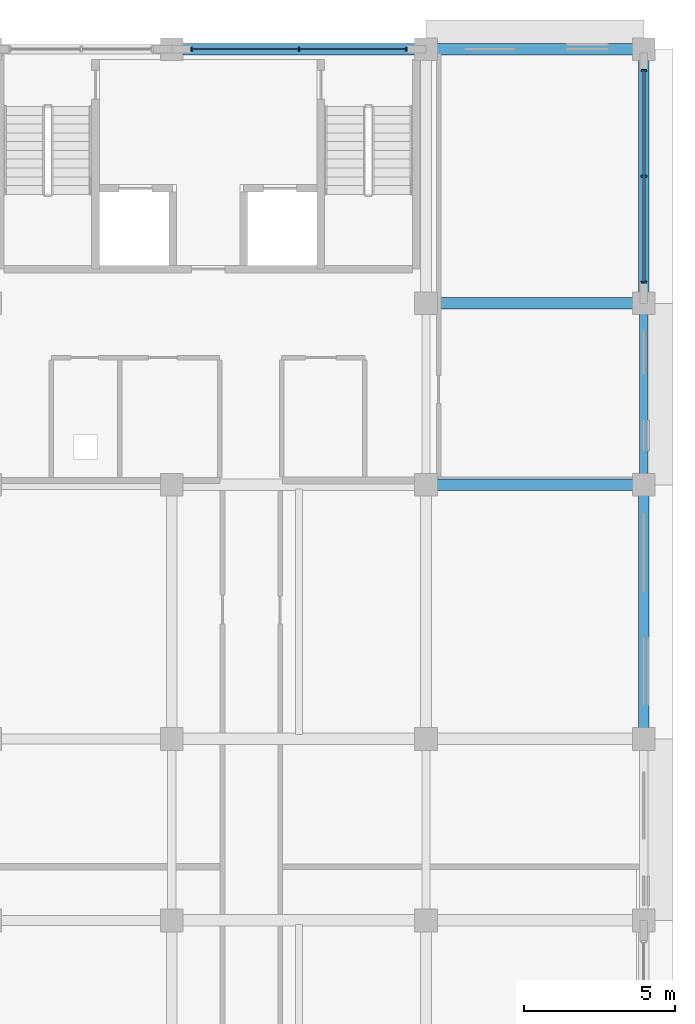
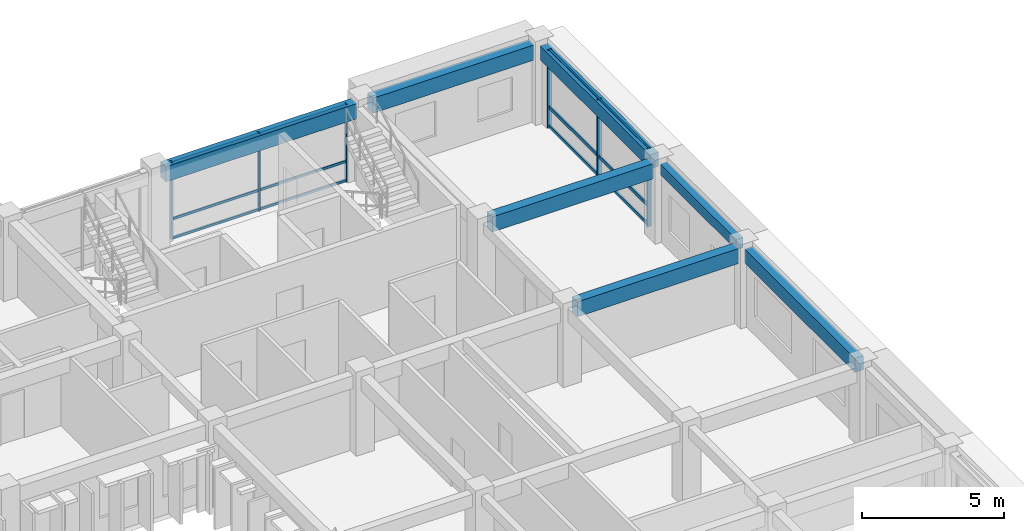
# One storey, part 41 of 88: 12 members, 7 beams, 2 elements without a shape of their own.
"""IFC4 building model written with IfcOpenShell, lengths in metres."""

from ifc_helpers import new_model, si_unit, direction, frame, origin, origin_2d, place, context, subcontext, project, spatial, rectangle, extrude, material, material_profile, profile_set, type_object, element, aggregate, save


model = new_model("IFC4")

# Units and contexts
model_context = context("Model", 3, precision=1e-05, world=origin(), true_north=direction((0.0, 1.0)))
body_context = subcontext(model_context, "Body", "Model", "MODEL_VIEW")
ifc_project = project(units=[si_unit("LENGTHUNIT", "METRE"), si_unit("AREAUNIT", "SQUARE_METRE"), si_unit("VOLUMEUNIT", "CUBIC_METRE"), si_unit("PLANEANGLEUNIT", "RADIAN"), si_unit("MASSUNIT", "GRAM", prefix="KILO"), si_unit("THERMODYNAMICTEMPERATUREUNIT", "KELVIN")], contexts=[model_context])

# Site, building, storey
site_placement = place(None, origin())
site = spatial("IfcSite", under=ifc_project, at=site_placement, CompositionType="ELEMENT")
building_placement = place(site_placement, origin())
building = spatial("IfcBuilding", under=site, at=building_placement, Name="Thalorik Housing Commons", CompositionType="ELEMENT")
storey_placement = place(building_placement, frame((0.0, 0.0, 4.5)))
storey = spatial("IfcBuildingStorey", under=building, at=storey_placement, Name="L01", CompositionType="ELEMENT", Elevation=4.5)

# Curtain wall, members
ifc_material_1 = material(Name="Anodised aluminium and solar-control low-E glass", Category="aluminium")
curtain_wall_type_1 = type_object("IfcCurtainWallType", Name="ARC-CW-CORE", PredefinedType="USERDEFINED", material=ifc_material_1)
curtain_wall_1_placement = place(storey_placement, origin())
curtain_wall_1 = element("IfcCurtainWall", 1, at=curtain_wall_1_placement, inside=storey, type_object=curtain_wall_type_1, Name="L01 Curtain Wall CW-CORE-L01-B-072", ObjectType="CURTAIN WALL", PredefinedType="USERDEFINED")
ifc_material_2 = material(Name="Anodised aluminium 6063-T6", Category="aluminium")
ifc_material_profile_1 = material_profile(ifc_material_2, rectangle(XDim=0.054931640625, YDim=0.139892578125, at=origin_2d()), Name="ALU MUL 55x140", Category="aluminium")
ifc_profile_set_1 = profile_set([ifc_material_profile_1], Name="Anodised aluminium 6063-T6")
member_type_1 = type_object("IfcMemberType", Name="ARC-CW-MUL-55x140", PredefinedType="MULLION", material=ifc_profile_set_1)
member_1_placement = place(storey_placement, frame((166.14990234375, 123.60009765625, 0.0), z_axis=(0.0, 0.0, 1.0), x_axis=(-1.0, 0.0, 0.0)))
member_1 = element("IfcMember", 2, at=member_1_placement, type_object=member_type_1, Name="CW-CORE-L01-B-072 Mullion 1", PredefinedType="MULLION", context=body_context, shape_type="SweptSolid", body=[
    extrude(rectangle(XDim=0.054931640625, YDim=0.139892578125, at=origin_2d()), origin(), (0.0, 0.0, 1.0), 3.340087890625),
])
member_2_placement = place(storey_placement, frame((162.60009765625, 123.60009765625, 0.0), z_axis=(0.0, 0.0, 1.0), x_axis=(-1.0, 0.0, 0.0)))
member_2 = element("IfcMember", 3, at=member_2_placement, type_object=member_type_1, Name="CW-CORE-L01-B-072 Mullion 2", PredefinedType="MULLION", context=body_context, shape_type="SweptSolid", body=[
    extrude(rectangle(XDim=0.054931640625, YDim=0.139892578125, at=origin_2d()), origin(), (0.0, 0.0, 1.0), 3.340087890625),
])
member_3_placement = place(storey_placement, frame((159.050048828125, 123.60009765625, 0.0), z_axis=(0.0, 0.0, 1.0), x_axis=(-1.0, 0.0, 0.0)))
member_3 = element("IfcMember", 4, at=member_3_placement, type_object=member_type_1, Name="CW-CORE-L01-B-072 Mullion 3", PredefinedType="MULLION", context=body_context, shape_type="SweptSolid", body=[
    extrude(rectangle(XDim=0.054931640625, YDim=0.139892578125, at=origin_2d()), origin(), (0.0, 0.0, 1.0), 3.340087890625),
])

curtain_wall_type_2 = type_object("IfcCurtainWallType", Name="ARC-CW-LOUNGE", PredefinedType="USERDEFINED", material=ifc_material_1)
curtain_wall_2_placement = place(storey_placement, origin())
curtain_wall_2 = element("IfcCurtainWall", 5, at=curtain_wall_2_placement, inside=storey, type_object=curtain_wall_type_2, Name="L01 Curtain Wall CW-RES-L01-B-071", ObjectType="CURTAIN WALL", PredefinedType="USERDEFINED")
ifc_material_profile_2 = material_profile(ifc_material_2, rectangle(XDim=0.06494140625, YDim=0.179931640625, at=origin_2d()), Name="ALU MUL 65x180", Category="aluminium")
ifc_profile_set_2 = profile_set([ifc_material_profile_2], Name="Anodised aluminium 6063-T6")
member_type_2 = type_object("IfcMemberType", Name="ARC-CW-MUL-65x180", PredefinedType="MULLION", material=ifc_profile_set_2)
member_4_placement = place(storey_placement, frame((174.0, 115.89990234375, 0.0), z_axis=(0.0, 0.0, 1.0), x_axis=(0.0, 1.0, 0.0)))
member_4 = element("IfcMember", 6, at=member_4_placement, type_object=member_type_2, Name="CW-RES-L01-B-071 Mullion 1", PredefinedType="MULLION", context=body_context, shape_type="SweptSolid", body=[
    extrude(rectangle(XDim=0.06494140625, YDim=0.179931640625, at=origin_2d()), origin(), (0.0, 0.0, 1.0), 3.340087890625),
])
member_5_placement = place(storey_placement, frame((174.0, 119.39990234375, 0.0), z_axis=(0.0, 0.0, 1.0), x_axis=(0.0, 1.0, 0.0)))
member_5 = element("IfcMember", 7, at=member_5_placement, type_object=member_type_2, Name="CW-RES-L01-B-071 Mullion 2", PredefinedType="MULLION", context=body_context, shape_type="SweptSolid", body=[
    extrude(rectangle(XDim=0.06494140625, YDim=0.179931640625, at=origin_2d()), origin(), (0.0, 0.0, 1.0), 3.340087890625),
])
member_6_placement = place(storey_placement, frame((174.0, 122.89990234375, 0.0), z_axis=(0.0, 0.0, 1.0), x_axis=(0.0, 1.0, 0.0)))
member_6 = element("IfcMember", 8, at=member_6_placement, type_object=member_type_2, Name="CW-RES-L01-B-071 Mullion 3", PredefinedType="MULLION", context=body_context, shape_type="SweptSolid", body=[
    extrude(rectangle(XDim=0.06494140625, YDim=0.179931640625, at=origin_2d()), origin(), (0.0, 0.0, 1.0), 3.340087890625),
])

# Member
ifc_material_profile_3 = material_profile(ifc_material_2, rectangle(XDim=0.054931640625, YDim=0.10498046875, at=origin_2d()), Name="ALU TRN 55x105", Category="aluminium")
ifc_profile_set_3 = profile_set([ifc_material_profile_3], Name="Anodised aluminium 6063-T6")
member_type_3 = type_object("IfcMemberType", Name="ARC-CW-TRN-55x105", PredefinedType="USERDEFINED", material=ifc_profile_set_3)
member_7_placement = place(storey_placement, frame((166.14990234375, 123.60009765625, 0.054931640625), z_axis=(-1.0, 0.0, 0.0), x_axis=(0.0, -1.0, 0.0)))
member_7 = element("IfcMember", 9, at=member_7_placement, type_object=member_type_3, Name="CW-CORE-L01-B-072 Transom 1", ObjectType="TRANSOM", PredefinedType="USERDEFINED", context=body_context, shape_type="SweptSolid", body=[
    extrude(rectangle(XDim=0.054931640625, YDim=0.10498046875, at=origin_2d()), origin(), (0.0, 0.0, 1.0), 7.099853515625),
])

member_8_placement = place(storey_placement, frame((166.14990234375, 123.60009765625, 0.8798828125), z_axis=(-1.0, 0.0, 0.0), x_axis=(0.0, -1.0, 0.0)))
member_8 = element("IfcMember", 10, at=member_8_placement, type_object=member_type_3, Name="CW-CORE-L01-B-072 Transom 2", ObjectType="TRANSOM", PredefinedType="USERDEFINED", context=body_context, shape_type="SweptSolid", body=[
    extrude(rectangle(XDim=0.054931640625, YDim=0.10498046875, at=origin_2d()), origin(), (0.0, 0.0, 1.0), 7.099853515625),
])

member_9_placement = place(storey_placement, frame((166.14990234375, 123.60009765625, 3.284912109375), z_axis=(-1.0, 0.0, 0.0), x_axis=(0.0, -1.0, 0.0)))
member_9 = element("IfcMember", 11, at=member_9_placement, type_object=member_type_3, Name="CW-CORE-L01-B-072 Transom 3", ObjectType="TRANSOM", PredefinedType="USERDEFINED", context=body_context, shape_type="SweptSolid", body=[
    extrude(rectangle(XDim=0.054931640625, YDim=0.10498046875, at=origin_2d()), origin(), (0.0, 0.0, 1.0), 7.099853515625),
])

aggregate(curtain_wall_1, [member_1, member_2, member_3, member_7, member_8, member_9])

ifc_material_profile_4 = material_profile(ifc_material_2, rectangle(XDim=0.06494140625, YDim=0.14990234375, at=origin_2d()), Name="ALU TRN 65x150", Category="aluminium")
ifc_profile_set_4 = profile_set([ifc_material_profile_4], Name="Anodised aluminium 6063-T6")
member_type_4 = type_object("IfcMemberType", Name="ARC-CW-TRN-65x150", PredefinedType="USERDEFINED", material=ifc_profile_set_4)
member_10_placement = place(storey_placement, frame((174.0, 115.89990234375, 0.054931640625), z_axis=(0.0, 1.0, 0.0), x_axis=(-1.0, 0.0, 0.0)))
member_10 = element("IfcMember", 12, at=member_10_placement, type_object=member_type_4, Name="CW-RES-L01-B-071 Transom 1", ObjectType="TRANSOM", PredefinedType="USERDEFINED", context=body_context, shape_type="SweptSolid", body=[
    extrude(rectangle(XDim=0.06494140625, YDim=0.14990234375, at=origin_2d()), origin(), (0.0, 0.0, 1.0), 7.0),
])

member_11_placement = place(storey_placement, frame((174.0, 115.89990234375, 0.8798828125), z_axis=(0.0, 1.0, 0.0), x_axis=(-1.0, 0.0, 0.0)))
member_11 = element("IfcMember", 13, at=member_11_placement, type_object=member_type_4, Name="CW-RES-L01-B-071 Transom 2", ObjectType="TRANSOM", PredefinedType="USERDEFINED", context=body_context, shape_type="SweptSolid", body=[
    extrude(rectangle(XDim=0.06494140625, YDim=0.14990234375, at=origin_2d()), origin(), (0.0, 0.0, 1.0), 7.0),
])

member_12_placement = place(storey_placement, frame((174.0, 115.89990234375, 3.284912109375), z_axis=(0.0, 1.0, 0.0), x_axis=(-1.0, 0.0, 0.0)))
member_12 = element("IfcMember", 14, at=member_12_placement, type_object=member_type_4, Name="CW-RES-L01-B-071 Transom 3", ObjectType="TRANSOM", PredefinedType="USERDEFINED", context=body_context, shape_type="SweptSolid", body=[
    extrude(rectangle(XDim=0.06494140625, YDim=0.14990234375, at=origin_2d()), origin(), (0.0, 0.0, 1.0), 7.0),
])

aggregate(curtain_wall_2, [member_4, member_5, member_6, member_10, member_11, member_12])

# Beams
ifc_material_3 = material(Name="Precast concrete C40/50", Category="concrete")
ifc_material_profile_5 = material_profile(ifc_material_3, rectangle(XDim=0.280029296875, YDim=0.449951171875, at=origin_2d()), Name="PC 280x450", Category="concrete")
ifc_profile_set_5 = profile_set([ifc_material_profile_5], Name="Precast concrete C40/50")
beam_type_1 = type_object("IfcBeamType", Name="STR-BM-PC280x450", PredefinedType="BEAM", material=ifc_profile_set_5)
beam_1_placement = place(storey_placement, frame((174.0, 109.52490234375, 3.114990234375), z_axis=(0.0, 1.0, 0.0), x_axis=(-1.0, 0.0, 0.0)))
element("IfcBeam", 15, at=beam_1_placement, inside=storey, type_object=beam_type_1, Name="L01 Beam B-450", PredefinedType="BEAM", context=body_context, shape_type="SweptSolid", body=[
    extrude(rectangle(XDim=0.280029296875, YDim=0.449951171875, at=origin_2d()), origin(), (0.0, 0.0, 1.0), 5.35009765625),
])
ifc_material_profile_6 = material_profile(ifc_material_3, rectangle(XDim=0.35009765625, YDim=0.60009765625, at=origin_2d()), Name="PC 350x600", Category="concrete")
ifc_profile_set_6 = profile_set([ifc_material_profile_6], Name="Precast concrete C40/50")
beam_type_2 = type_object("IfcBeamType", Name="STR-BM-PC350x600", PredefinedType="BEAM", material=ifc_profile_set_6)
for number, where, z_axis, x_axis, name in (
    (16, (174.0, 101.125, 3.0400390625), (0.0, 1.0, 0.0), (-1.0, 0.0, 0.0), "L01 Beam B-600"),
    (17, (174.0, 115.52490234375, 3.0400390625), (0.0, 1.0, 0.0), (-1.0, 0.0, 0.0), "L01 Beam B-600"),
):
    element("IfcBeam", number, at=place(storey_placement, frame(where, z_axis=z_axis, x_axis=x_axis)), inside=storey, type_object=beam_type_2, Name=name, PredefinedType="BEAM", context=body_context, shape_type="SweptSolid", body=[
        extrude(rectangle(XDim=0.35009765625, YDim=0.60009765625, at=origin_2d()), origin(), (0.0, 0.0, 1.0), 7.75),
    ])
ifc_material_profile_7 = material_profile(ifc_material_3, rectangle(XDim=0.3798828125, YDim=0.64990234375, at=origin_2d()), Name="PC 380x650", Category="concrete")
ifc_profile_set_7 = profile_set([ifc_material_profile_7], Name="Precast concrete C40/50")
beam_type_3 = type_object("IfcBeamType", Name="STR-BM-PC380x650", PredefinedType="BEAM", material=ifc_profile_set_7)
for number, where, z_axis, x_axis, name in (
    (18, (167.125, 109.199951171875, 3.014892578125), (1.0, 0.0, 0.0), (0.0, 1.0, 0.0), "L01 Beam B-650"),
    (19, (167.125, 115.199951171875, 3.014892578125), (1.0, 0.0, 0.0), (0.0, 1.0, 0.0), "L01 Beam B-650"),
):
    element("IfcBeam", number, at=place(storey_placement, frame(where, z_axis=z_axis, x_axis=x_axis)), inside=storey, type_object=beam_type_3, Name=name, PredefinedType="BEAM", context=body_context, shape_type="SweptSolid", body=[
        extrude(rectangle(XDim=0.3798828125, YDim=0.64990234375, at=origin_2d()), origin(), (0.0, 0.0, 1.0), 6.550048828125),
    ])
beam_2_placement = place(storey_placement, frame((158.72509765625, 123.60009765625, 3.014892578125), z_axis=(1.0, 0.0, 0.0), x_axis=(0.0, 1.0, 0.0)))
element("IfcBeam", 20, at=beam_2_placement, inside=storey, type_object=beam_type_3, Name="L01 Beam B-650", PredefinedType="BEAM", context=body_context, shape_type="SweptSolid", body=[
    extrude(rectangle(XDim=0.3798828125, YDim=0.64990234375, at=origin_2d()), origin(), (0.0, 0.0, 1.0), 7.75),
])
beam_3_placement = place(storey_placement, frame((167.125, 123.60009765625, 3.014892578125), z_axis=(1.0, 0.0, 0.0), x_axis=(0.0, 1.0, 0.0)))
element("IfcBeam", 21, at=beam_3_placement, inside=storey, type_object=beam_type_3, Name="L01 Beam B-650", PredefinedType="BEAM", context=body_context, shape_type="SweptSolid", body=[
    extrude(rectangle(XDim=0.3798828125, YDim=0.64990234375, at=origin_2d()), origin(), (0.0, 0.0, 1.0), 6.550048828125),
])

save(model, "model.ifc")
